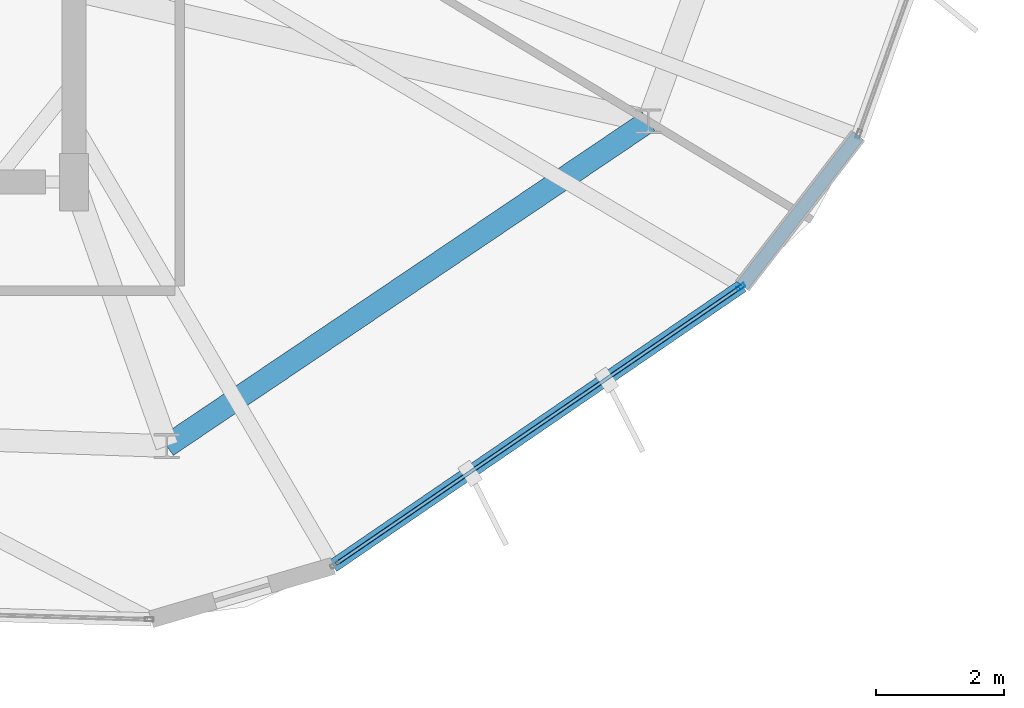
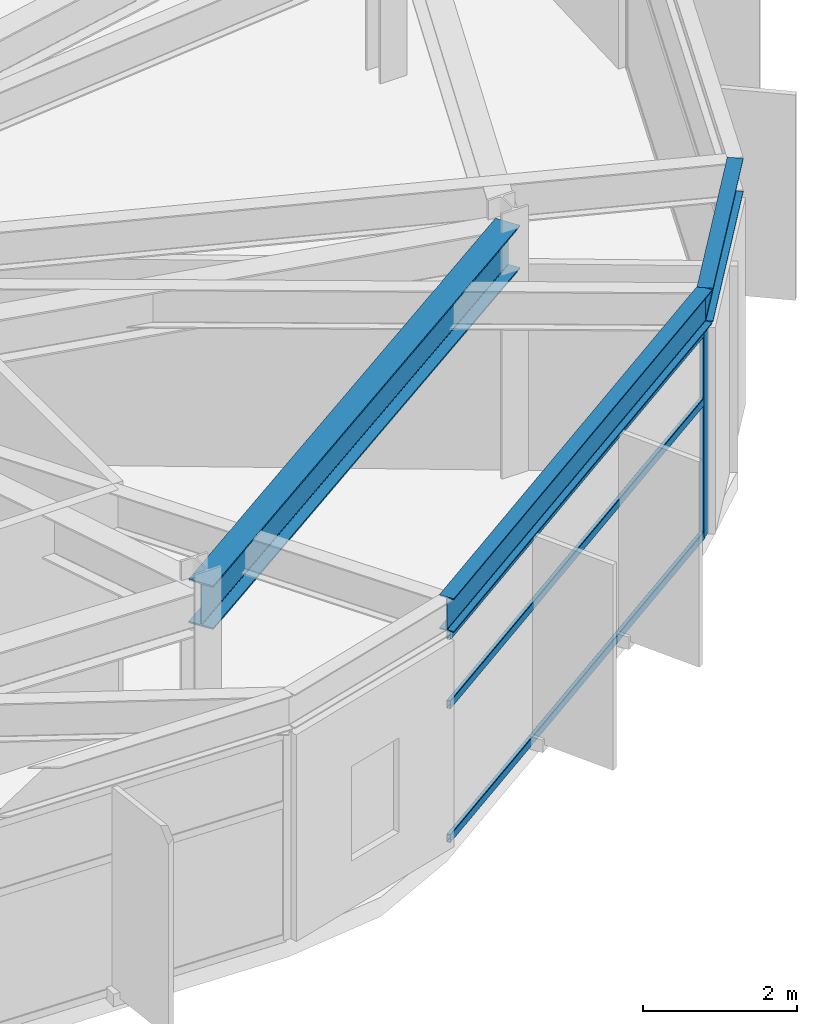
# One storey, part 6 of 20: 4 members, 3 beams, 1 element without a shape of its own.
"""IFC4 building model written with IfcOpenShell, lengths in metres."""

import ifcopenshell
import ifcopenshell.guid

model = None  # the IFC model being written
_history = None  # IfcOwnerHistory: only IFC2X3 demands one
_inside = {}  # id of a spatial element -> (the spatial element, [elements in it])
_under = {}  # id of a project, library or spatial element -> (it, [spatial elements below it])
_declared = {}  # id of a project -> (the project, [libraries it declares])
_typed = {}  # id of a type object -> (the type object, [elements of that type])
_made_of = {}  # id of a material, layer set ... -> (it, [elements and type objects made of it])


def new_model(schema):
    """Start an empty IFC model of exactly this schema.

    Asked for "IFC4X3", IfcOpenShell would pick the latest addendum, in which some entities
    have other attributes; the version numbers below select the first issue.
    IFC2X3 requires an IfcOwnerHistory on every rooted entity: one is made here for all.
    """
    global model, _history
    if schema == "IFC4X3":
        model = ifcopenshell.file(schema_version=(4, 3, 0, 0))
    else:
        model = ifcopenshell.file(schema=schema)
    _inside.clear()
    _under.clear()
    _declared.clear()
    _typed.clear()
    _made_of.clear()
    _history = None
    if model.schema == "IFC2X3":
        org = make("IfcOrganization", Name="unknown")
        user = make(
            "IfcPersonAndOrganization",
            ThePerson=make("IfcPerson", FamilyName="unknown"),
            TheOrganization=org,
        )
        app = make(
            "IfcApplication",
            ApplicationDeveloper=org,
            Version="unknown",
            ApplicationFullName="unknown",
            ApplicationIdentifier="unknown",
        )
        _history = make(
            "IfcOwnerHistory",
            OwningUser=user,
            OwningApplication=app,
            ChangeAction="ADDED",
            CreationDate=0,
        )
    return model


def make(cls, **values):
    """One entity of the class cls with the attributes given. An attribute that is None is left unset."""
    return model.create_entity(
        cls, **{name: value for name, value in values.items() if value is not None}
    )


def rooted(cls, **values):
    """An entity with a GlobalId (a new one), such as an element, a storey or a relation."""
    return make(cls, GlobalId=ifcopenshell.guid.new(), OwnerHistory=_history, **values)


def si_unit(unit_type, name, prefix=None):
    """IfcSIUnit, for example si_unit("LENGTHUNIT", "METRE", prefix="MILLI")."""
    return make("IfcSIUnit", UnitType=unit_type, Prefix=prefix, Name=name)


def assignment(units):
    """IfcUnitAssignment: the units of a project."""
    return None if units is None else make("IfcUnitAssignment", Units=units)


def point(xyz):
    """IfcCartesianPoint."""
    return None if xyz is None else make("IfcCartesianPoint", Coordinates=xyz)


def direction(xyz):
    """IfcDirection."""
    return None if xyz is None else make("IfcDirection", DirectionRatios=xyz)


def frame(location, z_axis=None, x_axis=None):
    """IfcAxis2Placement3D, a coordinate frame: its origin and axes. An axis left out is left unset."""
    return make(
        "IfcAxis2Placement3D",
        Location=point(location),
        Axis=direction(z_axis),
        RefDirection=direction(x_axis),
    )


def frame_2d(location, x_axis=None):
    """IfcAxis2Placement2D, a coordinate frame in the plane: its origin and x axis."""
    return make(
        "IfcAxis2Placement2D", Location=point(location), RefDirection=direction(x_axis)
    )


def origin():
    """The frame at (0, 0, 0) with its axes left unset."""
    return frame((0.0, 0.0, 0.0))


def origin_2d():
    """The frame at (0, 0) in the plane with its x axis left unset."""
    return frame_2d((0.0, 0.0))


def place(relative_to, where):
    """IfcLocalPlacement: puts the frame where relative to a parent placement (None: the world)."""
    return make(
        "IfcLocalPlacement", PlacementRelTo=relative_to, RelativePlacement=where
    )


def context(
    kind, dimensions, precision=None, world=None, true_north=None, identifier=None
):
    """IfcGeometricRepresentationContext, for example the 3D "Model" context."""
    return make(
        "IfcGeometricRepresentationContext",
        ContextIdentifier=identifier,
        ContextType=kind,
        CoordinateSpaceDimension=dimensions,
        Precision=precision,
        WorldCoordinateSystem=world,
        TrueNorth=true_north,
    )


def subcontext(parent, identifier, kind, view, scale=None):
    """IfcGeometricRepresentationSubContext, for example "Body" below "Model"."""
    return make(
        "IfcGeometricRepresentationSubContext",
        ContextIdentifier=identifier,
        ContextType=kind,
        ParentContext=parent,
        TargetScale=scale,
        TargetView=view,
    )


def project(units=None, contexts=None):
    """IfcProject with its units and contexts."""
    return rooted(
        "IfcProject",
        Name="project",
        RepresentationContexts=contexts,
        UnitsInContext=assignment(units),
    )


def spatial(cls, under=None, at=None, **own):
    """A site, building, storey or space (cls), placed at a placement, below another one or the project."""
    s = rooted(cls, ObjectPlacement=at, **own)
    if under is not None:
        _under.setdefault(under.id(), (under, []))[1].append(s)
    return s


def profile(cls, at=None, kind="AREA", **sizes):
    """A parametric profile (cls). Its sizes go by their IFC names, for example OverallWidth=200.0."""
    return make(cls, ProfileType=kind, Position=at, **sizes)


def hollow_rectangle(**sizes):
    """IfcRectangleHollowProfileDef."""
    return profile("IfcRectangleHollowProfileDef", **sizes)


def i_section(**sizes):
    """IfcIShapeProfileDef."""
    return profile("IfcIShapeProfileDef", **sizes)


def extrude(swept, where, along, depth):
    """IfcExtrudedAreaSolid: the profile swept, set in the frame where, extruded along a direction by depth."""
    return make(
        "IfcExtrudedAreaSolid",
        SweptArea=swept,
        Position=where,
        ExtrudedDirection=direction(along),
        Depth=depth,
    )


def shape(context_of_items, identifier, shape_type, items):
    """IfcShapeRepresentation: the items that make up one representation, for example the "Body"."""
    return make(
        "IfcShapeRepresentation",
        ContextOfItems=context_of_items,
        RepresentationIdentifier=identifier,
        RepresentationType=shape_type,
        Items=items,
    )


def material(Name=None, Category=None):
    """IfcMaterial."""
    return make("IfcMaterial", Name=Name, Category=Category)


def layer(
    of_material, thickness, ventilated=None, Name=None, Category=None, Priority=None
):
    """IfcMaterialLayer: one layer of a wall or slab, of a material (None: an air gap)."""
    return make(
        "IfcMaterialLayer",
        Material=of_material,
        LayerThickness=thickness,
        IsVentilated=ventilated,
        Name=Name,
        Category=Category,
        Priority=Priority,
    )


def layer_set(layers, Name=None):
    """IfcMaterialLayerSet."""
    return make("IfcMaterialLayerSet", MaterialLayers=layers, LayerSetName=Name)


def material_profile(
    of_material, cross_section, Name=None, Category=None, Priority=None
):
    """IfcMaterialProfile: a cross section and its material."""
    return make(
        "IfcMaterialProfile",
        Name=Name,
        Material=of_material,
        Profile=cross_section,
        Priority=Priority,
        Category=Category,
    )


def profile_set(profiles, Name=None, composite=None):
    """IfcMaterialProfileSet."""
    return make(
        "IfcMaterialProfileSet",
        Name=Name,
        MaterialProfiles=profiles,
        CompositeProfile=composite,
    )


def made_of(thing, what):
    """Note that an element or type object is made of a material, layer set ...; save() writes the relation."""
    if what is not None:
        _made_of.setdefault(what.id(), (what, []))[1].append(thing)
    return thing


def type_object(cls, material=None, **own):
    """A type object (cls), such as IfcWallType, which elements share."""
    return made_of(rooted(cls, **own), material)


def element(
    cls,
    number,
    at=None,
    inside=None,
    cuts=None,
    type_object=None,
    material=None,
    context=None,
    identifier="Body",
    shape_type=None,
    held_by="IfcProductDefinitionShape",
    body=None,
    shapes=None,
    **own,
):
    """One element of the class cls, such as IfcWall. Its Tag is "e" and its number.

    at: its placement. inside: the storey or other place that contains it. cuts: it is an
    opening in that element (IfcRelVoidsElement). A single representation is given by context,
    identifier, shape_type and body (its items); several are given by shapes. held_by: the class
    of the entity that holds the representations. save() writes the other relations.
    """
    e = rooted(cls, Tag="e%d" % number, ObjectPlacement=at, **own)
    if body is not None:
        shapes = [shape(context, identifier, shape_type, body)]
    if shapes is not None:
        e.Representation = make(held_by, Representations=shapes)
    if inside is not None:
        _inside.setdefault(inside.id(), (inside, []))[1].append(e)
    if cuts is not None:
        rooted(
            "IfcRelVoidsElement", RelatingBuildingElement=cuts, RelatedOpeningElement=e
        )
    if type_object is not None:
        _typed.setdefault(type_object.id(), (type_object, []))[1].append(e)
    return made_of(e, material)


def aggregate(whole, parts):
    """IfcRelAggregates: a whole, such as a stair, and the parts it consists of."""
    return rooted("IfcRelAggregates", RelatingObject=whole, RelatedObjects=parts)


def save(model, path):
    """Write the relations noted so far, then the file.

    IfcRelAggregates (storeys below a building ...), IfcRelContainedInSpatialStructure (elements
    in a storey), IfcRelDefinesByType, IfcRelAssociatesMaterial and IfcRelDeclares: one each for
    every whole, place, type object, material and project.
    """
    for whole, parts in _under.values():
        aggregate(whole, parts)
    for where, things in _inside.values():
        rooted(
            "IfcRelContainedInSpatialStructure",
            RelatedElements=things,
            RelatingStructure=where,
        )
    for kind, things in _typed.values():
        rooted("IfcRelDefinesByType", RelatedObjects=things, RelatingType=kind)
    for what, things in _made_of.values():
        rooted("IfcRelAssociatesMaterial", RelatedObjects=things, RelatingMaterial=what)
    for by, libraries in _declared.values():
        rooted("IfcRelDeclares", RelatingContext=by, RelatedDefinitions=libraries)
    model.write(path)


model = new_model("IFC4")

# Units and contexts
model_context = context("Model", 3, precision=1e-05, world=origin(), true_north=direction((0.0, 1.0)))
body_context = subcontext(model_context, "Body", "Model", "MODEL_VIEW")
ifc_project = project(units=[si_unit("LENGTHUNIT", "METRE"), si_unit("AREAUNIT", "SQUARE_METRE"), si_unit("VOLUMEUNIT", "CUBIC_METRE"), si_unit("PLANEANGLEUNIT", "RADIAN"), si_unit("MASSUNIT", "GRAM", prefix="KILO")], contexts=[model_context])

# Site, building, storey
site_placement = place(None, origin())
site = spatial("IfcSite", under=ifc_project, at=site_placement, CompositionType="ELEMENT")
building_placement = place(site_placement, origin())
building = spatial("IfcBuilding", under=site, at=building_placement, Name="Soratama Intermodal Tower", CompositionType="ELEMENT")
storey_placement = place(building_placement, frame((0.0, 0.0, 293.050048828125)))
storey = spatial("IfcBuildingStorey", under=building, at=storey_placement, Name="L74", CompositionType="ELEMENT", Elevation=293.050048828125)

# Beams
ifc_material_1 = material(Name="Structural steel ASTM A992 Grade 50", Category="steel")
ifc_material_profile_1 = material_profile(ifc_material_1, i_section(OverallWidth=0.35498046875, OverallDepth=0.695068359375, WebThickness=0.015380859375, FlangeThickness=0.02490234375, FilletRadius=0.01611328125, at=origin_2d()), Name="W27X146")
ifc_profile_set_1 = profile_set([ifc_material_profile_1], Name="Structural steel ASTM A992 Grade 50")
beam_type_1 = type_object("IfcBeamType", Name="BM-RING-W27X146", PredefinedType="BEAM", material=ifc_profile_set_1)
beam_1_placement = place(storey_placement, frame((46.052001953125, 10.8701171875, 3.54736328125), z_axis=(0.829065755123, 0.559151118824, 0.0), x_axis=(-0.559151118824, 0.829065755123, 0.0)))
element("IfcBeam", 1, at=beam_1_placement, inside=storey, type_object=beam_type_1, Name="BM-L74-RING-08", PredefinedType="BEAM", context=body_context, shape_type="SweptSolid", body=[
    extrude(i_section(OverallWidth=0.35498046875, OverallDepth=0.695068359375, WebThickness=0.015380859375, FlangeThickness=0.02490234375, FilletRadius=0.01611328125, at=origin_2d()), origin(), (0.0, 0.0, 1.0), 9.0849609375),
])
ifc_material_2 = material(Name="Structural steel ASTM A992 Grade 50", Category="steel")
ifc_material_profile_2 = material_profile(ifc_material_2, i_section(OverallWidth=0.2099609375, OverallDepth=0.537109375, WebThickness=0.010986328125, FlangeThickness=0.017333984375, FilletRadius=0.012939453125, at=origin_2d()), Name="W21X68")
ifc_profile_set_2 = profile_set([ifc_material_profile_2], Name="Structural steel ASTM A992 Grade 50")
beam_type_2 = type_object("IfcBeamType", Name="BM-SPN-W21X68", PredefinedType="SPANDREL", material=ifc_profile_set_2)
beam_2_placement = place(storey_placement, frame((48.65087890625, 8.9951171875, 3.62646484375), z_axis=(0.82527869827, 0.564725659221, 0.0), x_axis=(-0.564725659221, 0.82527869827, 0.0)))
element("IfcBeam", 2, at=beam_2_placement, inside=storey, type_object=beam_type_2, Name="BS-L74-F07", PredefinedType="SPANDREL", context=body_context, shape_type="SweptSolid", body=[
    extrude(i_section(OverallWidth=0.2099609375, OverallDepth=0.537109375, WebThickness=0.010986328125, FlangeThickness=0.017333984375, FilletRadius=0.012939453125, at=origin_2d()), origin(), (0.0, 0.0, 1.0), 7.757568359375),
])
beam_3_placement = place(storey_placement, frame((55.052978515625, 13.3759765625, 3.62646484375), z_axis=(0.610402470653, 0.792091423903, 0.0), x_axis=(-0.792091423903, 0.610402470653, 0.0)))
element("IfcBeam", 3, at=beam_3_placement, inside=storey, type_object=beam_type_2, Name="BS-L74-CRN07", PredefinedType="SPANDREL", context=body_context, shape_type="SweptSolid", body=[
    extrude(i_section(OverallWidth=0.2099609375, OverallDepth=0.537109375, WebThickness=0.010986328125, FlangeThickness=0.017333984375, FilletRadius=0.012939453125, at=origin_2d()), origin(), (0.0, 0.0, 1.0), 2.967041015625),
])

# Curtain wall, members
ifc_material_3 = material(Name="Double-glazed aluminium curtain wall", Category="aluminium")
ifc_layer = layer(ifc_material_3, 0.159912109375)
ifc_layer_set = layer_set([ifc_layer], Name="Double-glazed aluminium curtain wall")
curtain_wall_type = type_object("IfcCurtainWallType", Name="CW-SYS-6", PredefinedType="NOTDEFINED", material=ifc_layer_set)
curtain_wall_placement = place(storey_placement, origin())
curtain_wall = element("IfcCurtainWall", 4, at=curtain_wall_placement, inside=storey, type_object=curtain_wall_type, Name="L74 Faceted Curtain Wall F07", PredefinedType="NOTDEFINED")
ifc_material_4 = material(Name="Anodised aluminium AA 6063-T6", Category="aluminium")
ifc_material_profile_3 = material_profile(ifc_material_4, hollow_rectangle(XDim=0.06494140625, YDim=0.139892578125, WallThickness=0.0048828125, InnerFilletRadius=0.0048828125, OuterFilletRadius=0.010009765625, at=origin_2d()), Name="CWM140X65X5")
ifc_profile_set_3 = profile_set([ifc_material_profile_3], Name="Anodised aluminium AA 6063-T6")
member_type_1 = type_object("IfcMemberType", Name="MT-CWM-6", PredefinedType="MULLION", material=ifc_profile_set_3)
member_1_placement = place(storey_placement, frame((55.028564453125, 13.35888671875, 0.0), z_axis=(0.0, 0.0, 1.0), x_axis=(-0.564681143103, 0.825309158209, 0.0)))
member_1 = element("IfcMember", 5, at=member_1_placement, type_object=member_type_1, Name="CW-6 mullion 2", PredefinedType="MULLION", context=body_context, shape_type="SweptSolid", body=[
    extrude(hollow_rectangle(XDim=0.06494140625, YDim=0.139892578125, WallThickness=0.0048828125, InnerFilletRadius=0.0048828125, OuterFilletRadius=0.010009765625, at=origin_2d()), origin(), (0.0, 0.0, 1.0), 3.27392578125),
])
ifc_material_5 = material(Name="Anodised aluminium AA 6063-T6", Category="aluminium")
ifc_material_profile_4 = material_profile(ifc_material_5, hollow_rectangle(XDim=0.06005859375, YDim=0.1298828125, WallThickness=0.0048828125, InnerFilletRadius=0.0048828125, OuterFilletRadius=0.010009765625, at=origin_2d()), Name="CWT130X60X5")
ifc_profile_set_4 = profile_set([ifc_material_profile_4], Name="Anodised aluminium AA 6063-T6")
member_type_2 = type_object("IfcMemberType", Name="TT-CWT-2", PredefinedType="USERDEFINED", material=ifc_profile_set_4)
member_2_placement = place(storey_placement, frame((48.699951171875, 9.02880859375, 0.030029296875), z_axis=(0.82530726125, 0.564683915592, 0.0), x_axis=(-0.564683915592, 0.82530726125, 0.0)))
member_2 = element("IfcMember", 6, at=member_2_placement, type_object=member_type_2, Name="CW-6 transom 1.1", ObjectType="TRANSOM", PredefinedType="USERDEFINED", context=body_context, shape_type="SweptSolid", body=[
    extrude(hollow_rectangle(XDim=0.06005859375, YDim=0.1298828125, WallThickness=0.0048828125, InnerFilletRadius=0.0048828125, OuterFilletRadius=0.010009765625, at=origin_2d()), origin(), (0.0, 0.0, 1.0), 7.638427734375),
])
member_3_placement = place(storey_placement, frame((48.699951171875, 9.02880859375, 2.14990234375), z_axis=(0.82530726125, 0.564683915592, 0.0), x_axis=(-0.564683915592, 0.82530726125, 0.0)))
member_3 = element("IfcMember", 7, at=member_3_placement, type_object=member_type_2, Name="CW-6 transom 1.2", ObjectType="TRANSOM", PredefinedType="USERDEFINED", context=body_context, shape_type="SweptSolid", body=[
    extrude(hollow_rectangle(XDim=0.06005859375, YDim=0.1298828125, WallThickness=0.0048828125, InnerFilletRadius=0.0048828125, OuterFilletRadius=0.010009765625, at=origin_2d()), origin(), (0.0, 0.0, 1.0), 7.638427734375),
])
member_4_placement = place(storey_placement, frame((48.699951171875, 9.02880859375, 3.243896484375), z_axis=(0.82530726125, 0.564683915592, 0.0), x_axis=(-0.564683915592, 0.82530726125, 0.0)))
member_4 = element("IfcMember", 8, at=member_4_placement, type_object=member_type_2, Name="CW-6 transom 1.3", ObjectType="TRANSOM", PredefinedType="USERDEFINED", context=body_context, shape_type="SweptSolid", body=[
    extrude(hollow_rectangle(XDim=0.06005859375, YDim=0.1298828125, WallThickness=0.0048828125, InnerFilletRadius=0.0048828125, OuterFilletRadius=0.010009765625, at=origin_2d()), origin(), (0.0, 0.0, 1.0), 7.638427734375),
])
aggregate(curtain_wall, [member_1, member_2, member_3, member_4])

save(model, "model.ifc")
